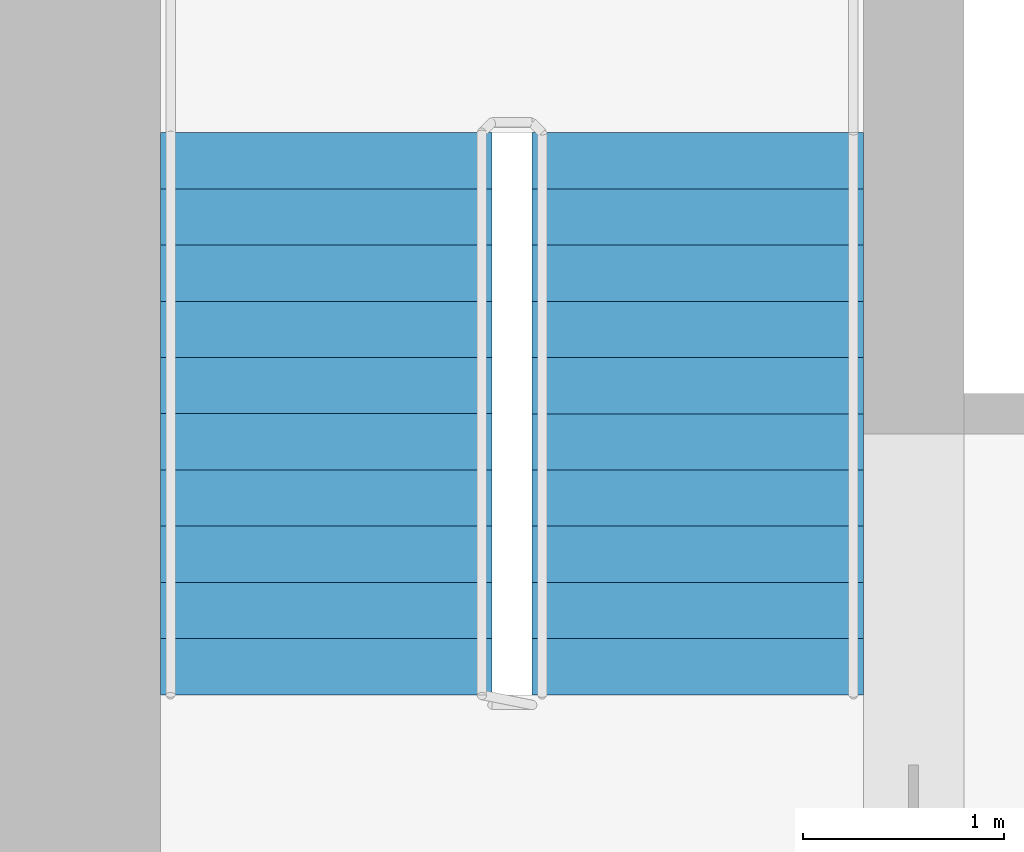
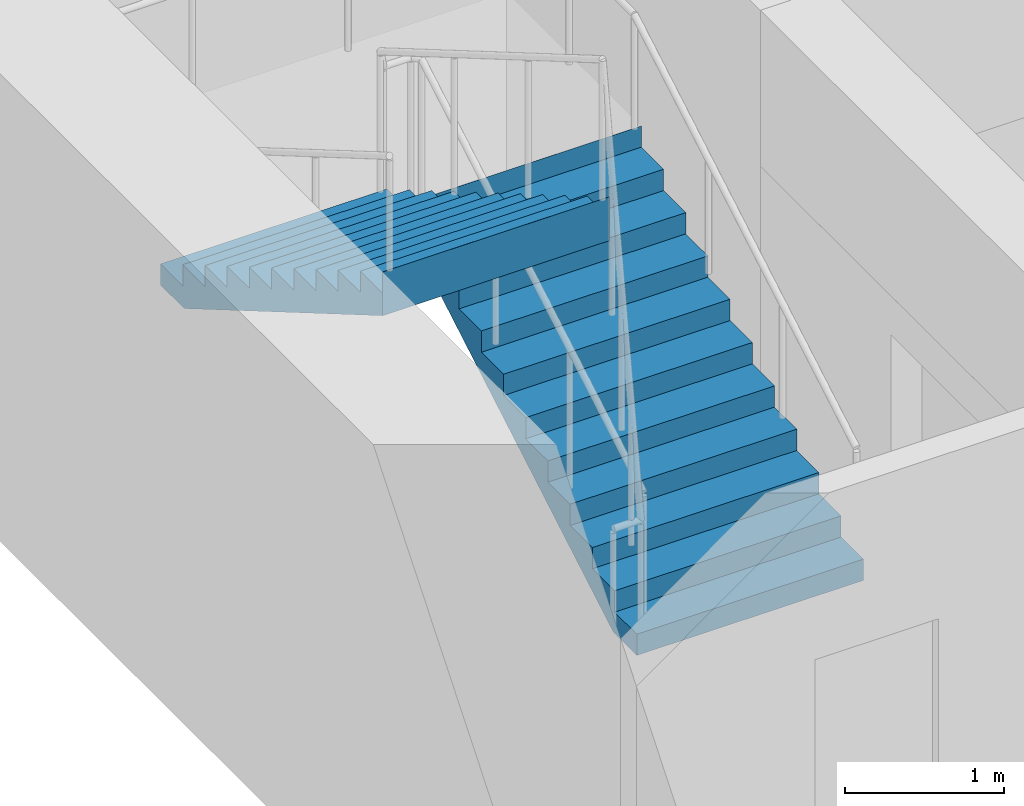
# One storey, part 13 of 14: 2 stair flights, 1 element without a shape of its own.
"""IFC4 building model written with IfcOpenShell, lengths in metres."""

from ifc_helpers import new_model, si_unit, direction, frame, origin, place, context, subcontext, project, spatial, polyline, outline, extrude, material, type_object, element, aggregate, save


model = new_model("IFC4")

# Units and contexts
model_context = context("Model", 3, precision=1e-05, world=origin(), true_north=direction((0.0, 1.0)))
body_context = subcontext(model_context, "Body", "Model", "MODEL_VIEW")
ifc_project = project(units=[si_unit("LENGTHUNIT", "METRE"), si_unit("AREAUNIT", "SQUARE_METRE"), si_unit("VOLUMEUNIT", "CUBIC_METRE"), si_unit("PLANEANGLEUNIT", "RADIAN"), si_unit("MASSUNIT", "GRAM", prefix="KILO")], contexts=[model_context])

# Site, building, storey
site_placement = place(None, origin())
site = spatial("IfcSite", under=ifc_project, at=site_placement, CompositionType="ELEMENT")
building_placement = place(site_placement, origin())
building = spatial("IfcBuilding", under=site, at=building_placement, Name="Tamorin Gate", CompositionType="ELEMENT")
storey_placement = place(building_placement, frame((0.0, 0.0, 79.10009765625)))
storey = spatial("IfcBuildingStorey", under=building, at=storey_placement, Name="L18", CompositionType="ELEMENT", Elevation=79.10009765625)

# Stair, stair flights
ifc_material = material(Name="Concrete C40/50", Category="concrete")
stair_type = type_object("IfcStairType", Name="Exit stair", PredefinedType="HALF_TURN_STAIR", material=ifc_material)
stair_placement = place(storey_placement, origin())
stair = element("IfcStair", 1, at=stair_placement, inside=storey, type_object=stair_type, Name="L18 stair ST2", PredefinedType="HALF_TURN_STAIR")
stair_flight_type = type_object("IfcStairFlightType", Name="Exit stair flight", PredefinedType="STRAIGHT", material=ifc_material)
stair_flight_1_placement = place(storey_placement, frame((33.675048828125, 77.0, 0.0), z_axis=(0.0, 0.0, 1.0), x_axis=(0.0, 1.0, 0.0)))
stair_flight_1 = element("IfcStairFlight", 2, at=stair_flight_1_placement, type_object=stair_flight_type, Name="ST2 flight 1", NumberOfRisers=11, NumberOfTreads=10, PredefinedType="STRAIGHT", RiserHeight=0.163636364, TreadLength=0.28, context=body_context, shape_type="SweptSolid", body=[
    extrude(outline(polyline([(-0.00048828125, 0.0), (-0.00048828125, 0.001708984375), (-0.00048828125, 0.003173828125), (-0.00048828125, 0.0048828125), (-0.00048828125, 0.006591796875), (-0.00048828125, 0.008056640625), (-0.00048828125, 0.009765625), (-0.00048828125, 0.01123046875), (-0.00048828125, 0.012939453125), (-0.00048828125, 0.0146484375), (-0.00048828125, 0.01611328125), (-0.00048828125, 0.017822265625), (-0.00048828125, 0.01953125), (-0.00048828125, 0.02099609375), (-0.00048828125, 0.022705078125), (-0.00048828125, 0.0244140625), (-0.00048828125, 0.02587890625), (-0.00048828125, 0.027587890625), (-0.00048828125, 0.029052734375), (-0.00048828125, 0.03076171875), (-0.00048828125, 0.032470703125), (-0.00048828125, 0.033935546875), (-0.00048828125, 0.03564453125), (-0.00048828125, 0.037353515625), (-0.00048828125, 0.038818359375), (-0.00048828125, 0.04052734375), (-0.00048828125, 0.042236328125), (-0.00048828125, 0.043701171875), (-0.00048828125, 0.04541015625), (-0.00048828125, 0.046875), (-0.00048828125, 0.048583984375), (-0.00048828125, 0.05029296875), (-0.00048828125, 0.0517578125), (-0.00048828125, 0.053466796875), (-0.00048828125, 0.05517578125), (-0.00048828125, 0.056640625), (-0.00048828125, 0.058349609375), (-0.00048828125, 0.06005859375), (-0.00048828125, 0.0615234375), (-0.00048828125, 0.063232421875), (-0.00048828125, 0.064697265625), (-0.00048828125, 0.06640625), (-0.00048828125, 0.068115234375), (-0.00048828125, 0.069580078125), (-0.00048828125, 0.0712890625), (-0.00048828125, 0.072998046875), (-0.00048828125, 0.074462890625), (-0.00048828125, 0.076171875), (-0.00048828125, 0.077880859375), (-0.00048828125, 0.079345703125), (-0.00048828125, 0.0810546875), (-0.00048828125, 0.08251953125), (-0.00048828125, 0.084228515625), (-0.00048828125, 0.0859375), (-0.00048828125, 0.08740234375), (-0.00048828125, 0.089111328125), (-0.00048828125, 0.0908203125), (-0.00048828125, 0.09228515625), (-0.00048828125, 0.093994140625), (-0.00048828125, 0.095703125), (-0.00048828125, 0.09716796875), (-0.00048828125, 0.098876953125), (-0.00048828125, 0.100341796875), (-0.00048828125, 0.10205078125), (-0.00048828125, 0.103759765625), (-0.00048828125, 0.105224609375), (-0.00048828125, 0.10693359375), (-0.00048828125, 0.108642578125), (-0.00048828125, 0.110107421875), (-0.00048828125, 0.11181640625), (-0.00048828125, 0.113525390625), (-0.00048828125, 0.114990234375), (-0.00048828125, 0.11669921875), (-0.00048828125, 0.1181640625), (-0.00048828125, 0.119873046875), (-0.00048828125, 0.12158203125), (-0.00048828125, 0.123046875), (-0.00048828125, 0.124755859375), (-0.00048828125, 0.12646484375), (-0.00048828125, 0.1279296875), (-0.00048828125, 0.129638671875), (-0.00048828125, 0.13134765625), (-0.00048828125, 0.1328125), (-0.00048828125, 0.134521484375), (-0.00048828125, 0.135986328125), (-0.00048828125, 0.1376953125), (-0.00048828125, 0.139404296875), (-0.00048828125, 0.140869140625), (-0.00048828125, 0.142578125), (-0.00048828125, 0.144287109375), (-0.00048828125, 0.145751953125), (-0.00048828125, 0.1474609375), (-0.00048828125, 0.149169921875), (-0.00048828125, 0.150634765625), (-0.00048828125, 0.15234375), (-0.00048828125, 0.15380859375), (-0.00048828125, 0.155517578125), (-0.00048828125, 0.1572265625), (-0.00048828125, 0.15869140625), (-0.00048828125, 0.160400390625), (-0.00048828125, 0.162109375), (-0.00048828125, 0.16357421875), (0.280029296875, 0.16357421875), (0.280029296875, 0.327392578125), (0.56005859375, 0.327392578125), (0.56005859375, 0.490966796875), (0.840087890625, 0.490966796875), (0.840087890625, 0.654541015625), (1.1201171875, 0.654541015625), (1.1201171875, 0.818115234375), (1.39990234375, 0.818115234375), (1.39990234375, 0.98193359375), (1.679931640625, 0.98193359375), (1.679931640625, 1.1455078125), (1.9599609375, 1.1455078125), (1.9599609375, 1.30908203125), (2.239990234375, 1.30908203125), (2.239990234375, 1.47265625), (2.52001953125, 1.47265625), (2.52001953125, 1.636474609375), (2.800048828125, 1.636474609375), (2.800048828125, 1.800048828125), (2.800537109375, 1.800048828125), (2.800537109375, 1.796630859375), (2.800537109375, 1.793212890625), (2.800537109375, 1.7900390625), (2.800537109375, 1.78662109375), (2.800537109375, 1.783203125), (2.800537109375, 1.780029296875), (2.800537109375, 1.776611328125), (2.800537109375, 1.773193359375), (2.800537109375, 1.77001953125), (2.800537109375, 1.7666015625), (2.800537109375, 1.76318359375), (2.800537109375, 1.760009765625), (2.800537109375, 1.756591796875), (2.800537109375, 1.753173828125), (2.800537109375, 1.75), (2.800537109375, 1.74658203125), (2.800537109375, 1.7431640625), (2.800537109375, 1.739990234375), (2.800537109375, 1.736572265625), (2.800537109375, 1.733154296875), (2.800537109375, 1.72998046875), (2.800537109375, 1.7265625), (2.800537109375, 1.72314453125), (2.800537109375, 1.719970703125), (2.800537109375, 1.716552734375), (2.800537109375, 1.713134765625), (2.800537109375, 1.7099609375), (2.800537109375, 1.70654296875), (2.800537109375, 1.703125), (2.800537109375, 1.69970703125), (2.800537109375, 1.696533203125), (2.800537109375, 1.693115234375), (2.800537109375, 1.689697265625), (2.800537109375, 1.6865234375), (2.800537109375, 1.68310546875), (2.800537109375, 1.6796875), (2.800537109375, 1.676513671875), (2.800537109375, 1.673095703125), (2.800537109375, 1.669677734375), (2.800537109375, 1.66650390625), (2.800537109375, 1.6630859375), (2.800537109375, 1.65966796875), (2.800537109375, 1.656494140625), (2.800537109375, 1.653076171875), (2.800537109375, 1.649658203125), (2.800537109375, 1.646484375), (2.800537109375, 1.64306640625), (2.800537109375, 1.6396484375), (2.800537109375, 1.636474609375), (2.800537109375, 1.633056640625), (2.800537109375, 1.629638671875), (2.800537109375, 1.62646484375), (2.800537109375, 1.623046875), (2.800537109375, 1.61962890625), (2.800537109375, 1.616455078125), (2.800537109375, 1.613037109375), (2.800537109375, 1.609619140625), (2.800537109375, 1.6064453125), (2.800537109375, 1.60302734375), (2.800537109375, 1.599609375), (2.800537109375, 1.59619140625), (2.800537109375, 1.593017578125), (2.800537109375, 1.589599609375), (2.800537109375, 1.586181640625), (2.800537109375, 1.5830078125), (2.800537109375, 1.57958984375), (2.800537109375, 1.576171875), (2.800537109375, 1.572998046875), (2.800537109375, 1.569580078125), (2.800537109375, 1.566162109375), (2.800537109375, 1.56298828125), (2.800537109375, 1.5595703125), (2.800537109375, 1.55615234375), (2.800537109375, 1.552978515625), (2.800537109375, 1.549560546875), (2.800537109375, 1.546142578125), (2.800537109375, 1.54296875), (2.800537109375, 1.53955078125), (2.800537109375, 1.5361328125), (2.800537109375, 1.532958984375), (2.800537109375, 1.529541015625), (2.800537109375, 1.526123046875), (2.800537109375, 1.52294921875), (2.800537109375, 1.51953125), (2.800537109375, 1.51611328125), (2.800537109375, 1.512939453125), (2.800537109375, 1.509521484375), (2.800537109375, 1.506103515625), (2.800537109375, 1.5029296875), (2.800537109375, 1.49951171875), (2.800537109375, 1.49609375), (2.800537109375, 1.49267578125), (2.800537109375, 1.489501953125), (2.800537109375, 1.486083984375), (2.800537109375, 1.482666015625), (2.800537109375, 1.4794921875), (2.800537109375, 1.47607421875), (2.800537109375, 1.47265625), (2.800537109375, 1.469482421875), (2.800537109375, 1.466064453125), (2.800537109375, 1.462646484375), (2.800048828125, 1.462646484375), (0.297119140625, 0.0), (-0.00048828125, 0.0)])), frame((0.0, 0.824951171875, 0.0), z_axis=(0.0, -1.0, 0.0), x_axis=(1.0, 0.0, 0.0)), (0.0, 0.0, 1.0), 1.64990234375),
])
stair_flight_2_placement = place(storey_placement, frame((31.824951171875, 79.800048828125, 1.7998046875), z_axis=(0.0, 0.0, 1.0), x_axis=(0.0, -1.0, 0.0)))
stair_flight_2 = element("IfcStairFlight", 3, at=stair_flight_2_placement, type_object=stair_flight_type, Name="ST2 flight 2", NumberOfRisers=11, NumberOfTreads=10, PredefinedType="STRAIGHT", RiserHeight=0.163636364, TreadLength=0.28, context=body_context, shape_type="SweptSolid", body=[
    extrude(outline(polyline([(-0.00048828125, 0.0), (-0.00048828125, 0.001708984375), (-0.00048828125, 0.003173828125), (-0.00048828125, 0.0048828125), (-0.00048828125, 0.006591796875), (-0.00048828125, 0.008056640625), (-0.00048828125, 0.009765625), (-0.00048828125, 0.01123046875), (-0.00048828125, 0.012939453125), (-0.00048828125, 0.0146484375), (-0.00048828125, 0.01611328125), (-0.00048828125, 0.017822265625), (-0.00048828125, 0.01953125), (-0.00048828125, 0.02099609375), (-0.00048828125, 0.022705078125), (-0.00048828125, 0.0244140625), (-0.00048828125, 0.02587890625), (-0.00048828125, 0.027587890625), (-0.00048828125, 0.029052734375), (-0.00048828125, 0.03076171875), (-0.00048828125, 0.032470703125), (-0.00048828125, 0.033935546875), (-0.00048828125, 0.03564453125), (-0.00048828125, 0.037353515625), (-0.00048828125, 0.038818359375), (-0.00048828125, 0.04052734375), (-0.00048828125, 0.042236328125), (-0.00048828125, 0.043701171875), (-0.00048828125, 0.04541015625), (-0.00048828125, 0.046875), (-0.00048828125, 0.048583984375), (-0.00048828125, 0.05029296875), (-0.00048828125, 0.0517578125), (-0.00048828125, 0.053466796875), (-0.00048828125, 0.05517578125), (-0.00048828125, 0.056640625), (-0.00048828125, 0.058349609375), (-0.00048828125, 0.06005859375), (-0.00048828125, 0.0615234375), (-0.00048828125, 0.063232421875), (-0.00048828125, 0.064697265625), (-0.00048828125, 0.06640625), (-0.00048828125, 0.068115234375), (-0.00048828125, 0.069580078125), (-0.00048828125, 0.0712890625), (-0.00048828125, 0.072998046875), (-0.00048828125, 0.074462890625), (-0.00048828125, 0.076171875), (-0.00048828125, 0.077880859375), (-0.00048828125, 0.079345703125), (-0.00048828125, 0.0810546875), (-0.00048828125, 0.08251953125), (-0.00048828125, 0.084228515625), (-0.00048828125, 0.0859375), (-0.00048828125, 0.08740234375), (-0.00048828125, 0.089111328125), (-0.00048828125, 0.0908203125), (-0.00048828125, 0.09228515625), (-0.00048828125, 0.093994140625), (-0.00048828125, 0.095703125), (-0.00048828125, 0.09716796875), (-0.00048828125, 0.098876953125), (-0.00048828125, 0.100341796875), (-0.00048828125, 0.10205078125), (-0.00048828125, 0.103759765625), (-0.00048828125, 0.105224609375), (-0.00048828125, 0.10693359375), (-0.00048828125, 0.108642578125), (-0.00048828125, 0.110107421875), (-0.00048828125, 0.11181640625), (-0.00048828125, 0.113525390625), (-0.00048828125, 0.114990234375), (-0.00048828125, 0.11669921875), (-0.00048828125, 0.1181640625), (-0.00048828125, 0.119873046875), (-0.00048828125, 0.12158203125), (-0.00048828125, 0.123046875), (-0.00048828125, 0.124755859375), (-0.00048828125, 0.12646484375), (-0.00048828125, 0.1279296875), (-0.00048828125, 0.129638671875), (-0.00048828125, 0.13134765625), (-0.00048828125, 0.1328125), (-0.00048828125, 0.134521484375), (-0.00048828125, 0.135986328125), (-0.00048828125, 0.1376953125), (-0.00048828125, 0.139404296875), (-0.00048828125, 0.140869140625), (-0.00048828125, 0.142578125), (-0.00048828125, 0.144287109375), (-0.00048828125, 0.145751953125), (-0.00048828125, 0.1474609375), (-0.00048828125, 0.149169921875), (-0.00048828125, 0.150634765625), (-0.00048828125, 0.15234375), (-0.00048828125, 0.15380859375), (-0.00048828125, 0.155517578125), (-0.00048828125, 0.1572265625), (-0.00048828125, 0.15869140625), (-0.00048828125, 0.160400390625), (-0.00048828125, 0.162109375), (-0.00048828125, 0.16357421875), (0.280029296875, 0.16357421875), (0.280029296875, 0.327392578125), (0.56005859375, 0.327392578125), (0.56005859375, 0.490966796875), (0.840087890625, 0.490966796875), (0.840087890625, 0.654541015625), (1.1201171875, 0.654541015625), (1.1201171875, 0.818115234375), (1.39990234375, 0.818115234375), (1.39990234375, 0.98193359375), (1.679931640625, 0.98193359375), (1.679931640625, 1.1455078125), (1.9599609375, 1.1455078125), (1.9599609375, 1.30908203125), (2.239990234375, 1.30908203125), (2.239990234375, 1.47265625), (2.52001953125, 1.47265625), (2.52001953125, 1.636474609375), (2.800048828125, 1.636474609375), (2.800048828125, 1.800048828125), (2.800537109375, 1.800048828125), (2.800537109375, 1.796630859375), (2.800537109375, 1.793212890625), (2.800537109375, 1.7900390625), (2.800537109375, 1.78662109375), (2.800537109375, 1.783203125), (2.800537109375, 1.780029296875), (2.800537109375, 1.776611328125), (2.800537109375, 1.773193359375), (2.800537109375, 1.77001953125), (2.800537109375, 1.7666015625), (2.800537109375, 1.76318359375), (2.800537109375, 1.760009765625), (2.800537109375, 1.756591796875), (2.800537109375, 1.753173828125), (2.800537109375, 1.75), (2.800537109375, 1.74658203125), (2.800537109375, 1.7431640625), (2.800537109375, 1.739990234375), (2.800537109375, 1.736572265625), (2.800537109375, 1.733154296875), (2.800537109375, 1.72998046875), (2.800537109375, 1.7265625), (2.800537109375, 1.72314453125), (2.800537109375, 1.719970703125), (2.800537109375, 1.716552734375), (2.800537109375, 1.713134765625), (2.800537109375, 1.7099609375), (2.800537109375, 1.70654296875), (2.800537109375, 1.703125), (2.800537109375, 1.69970703125), (2.800537109375, 1.696533203125), (2.800537109375, 1.693115234375), (2.800537109375, 1.689697265625), (2.800537109375, 1.6865234375), (2.800537109375, 1.68310546875), (2.800537109375, 1.6796875), (2.800537109375, 1.676513671875), (2.800537109375, 1.673095703125), (2.800537109375, 1.669677734375), (2.800537109375, 1.66650390625), (2.800537109375, 1.6630859375), (2.800537109375, 1.65966796875), (2.800537109375, 1.656494140625), (2.800537109375, 1.653076171875), (2.800537109375, 1.649658203125), (2.800537109375, 1.646484375), (2.800537109375, 1.64306640625), (2.800537109375, 1.6396484375), (2.800537109375, 1.636474609375), (2.800537109375, 1.633056640625), (2.800537109375, 1.629638671875), (2.800537109375, 1.62646484375), (2.800537109375, 1.623046875), (2.800537109375, 1.61962890625), (2.800537109375, 1.616455078125), (2.800537109375, 1.613037109375), (2.800537109375, 1.609619140625), (2.800537109375, 1.6064453125), (2.800537109375, 1.60302734375), (2.800537109375, 1.599609375), (2.800537109375, 1.59619140625), (2.800537109375, 1.593017578125), (2.800537109375, 1.589599609375), (2.800537109375, 1.586181640625), (2.800537109375, 1.5830078125), (2.800537109375, 1.57958984375), (2.800537109375, 1.576171875), (2.800537109375, 1.572998046875), (2.800537109375, 1.569580078125), (2.800537109375, 1.566162109375), (2.800537109375, 1.56298828125), (2.800537109375, 1.5595703125), (2.800537109375, 1.55615234375), (2.800537109375, 1.552978515625), (2.800537109375, 1.549560546875), (2.800537109375, 1.546142578125), (2.800537109375, 1.54296875), (2.800537109375, 1.53955078125), (2.800537109375, 1.5361328125), (2.800537109375, 1.532958984375), (2.800537109375, 1.529541015625), (2.800537109375, 1.526123046875), (2.800537109375, 1.52294921875), (2.800537109375, 1.51953125), (2.800537109375, 1.51611328125), (2.800537109375, 1.512939453125), (2.800537109375, 1.509521484375), (2.800537109375, 1.506103515625), (2.800537109375, 1.5029296875), (2.800537109375, 1.49951171875), (2.800537109375, 1.49609375), (2.800537109375, 1.49267578125), (2.800537109375, 1.489501953125), (2.800537109375, 1.486083984375), (2.800537109375, 1.482666015625), (2.800537109375, 1.4794921875), (2.800537109375, 1.47607421875), (2.800537109375, 1.47265625), (2.800537109375, 1.469482421875), (2.800537109375, 1.466064453125), (2.800537109375, 1.462646484375), (2.800048828125, 1.462646484375), (0.297119140625, 0.0), (-0.00048828125, 0.0)])), frame((0.0, 0.824951171875, 0.0), z_axis=(0.0, -1.0, 0.0), x_axis=(1.0, 0.0, 0.0)), (0.0, 0.0, 1.0), 1.64990234375),
])
aggregate(stair, [stair_flight_1, stair_flight_2])

save(model, "model.ifc")
